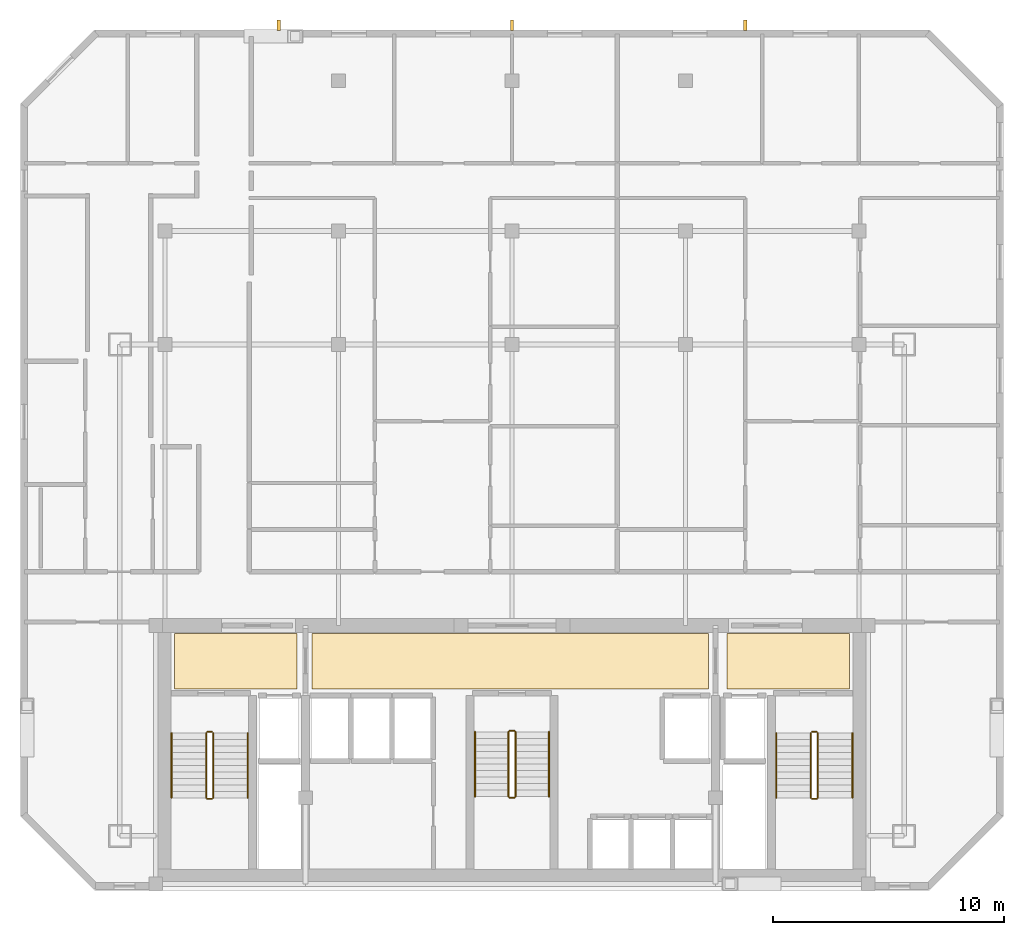
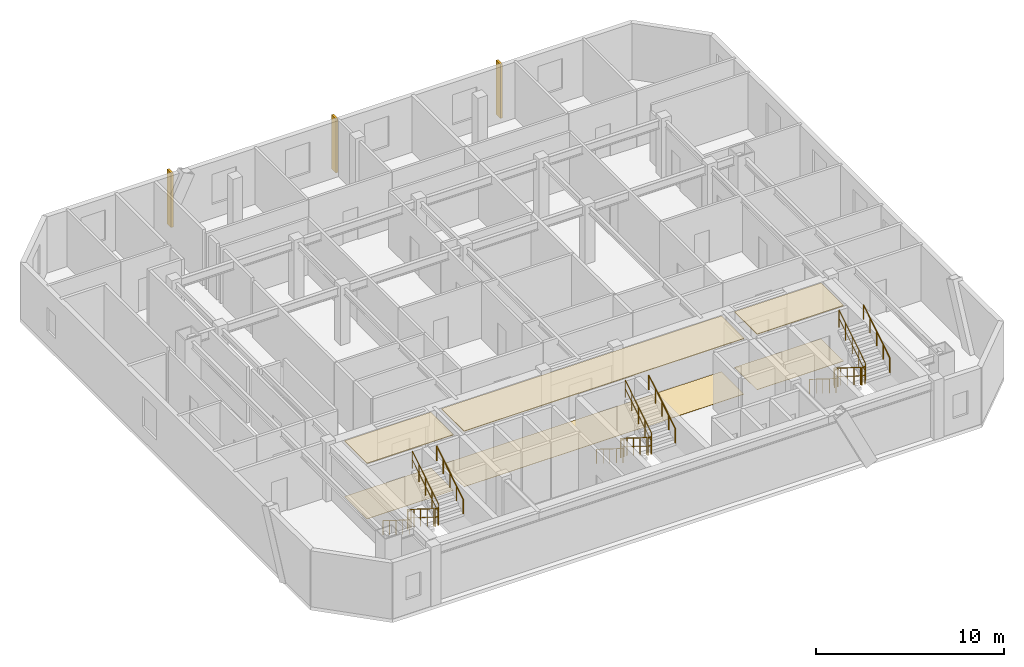
# One storey, part 7 of 7: 18 railings, 6 coverings, 3 shading devices.
"""IFC4 building model written with IfcOpenShell, lengths in metres."""

from ifc_helpers import new_model, si_unit, direction, frame, origin, origin_2d, place, context, subcontext, project, spatial, polyline, rectangle, circle, outline, extrude, material, layer, layer_set, type_object, element, save


model = new_model("IFC4")

# Units and contexts
model_context = context("Model", 3, precision=1e-05, world=origin(), true_north=direction((0.0, 1.0)))
body_context = subcontext(model_context, "Body", "Model", "MODEL_VIEW")
ifc_project = project(units=[si_unit("LENGTHUNIT", "METRE"), si_unit("AREAUNIT", "SQUARE_METRE"), si_unit("VOLUMEUNIT", "CUBIC_METRE"), si_unit("PLANEANGLEUNIT", "RADIAN"), si_unit("MASSUNIT", "GRAM", prefix="KILO")], contexts=[model_context])

# Site, building, storey
site_placement = place(None, origin())
site = spatial("IfcSite", under=ifc_project, at=site_placement, CompositionType="ELEMENT")
building_placement = place(site_placement, origin())
building = spatial("IfcBuilding", under=site, at=building_placement, Name="Ventersveld Concourse Tower", CompositionType="ELEMENT")
storey_placement = place(building_placement, frame((0.0, 0.0, 227.25)))
storey = spatial("IfcBuildingStorey", under=building, at=storey_placement, Name="L56", CompositionType="ELEMENT", Elevation=227.25)

# Coverings
ifc_material_1 = material(Name="Mineral-fibre acoustic ceiling tile", Category="gypsum")
ifc_layer_1 = layer(ifc_material_1, 0.0400390625)
ifc_layer_set_1 = layer_set([ifc_layer_1], Name="Mineral-fibre acoustic ceiling tile")
covering_type_1 = type_object("IfcCoveringType", Name="COV-CEIL-ACOUSTIC", PredefinedType="CEILING", material=ifc_layer_set_1)
covering_1_placement = place(storey_placement, frame((0.0, 0.0, 3.590087890625)))
element("IfcCovering", 1, at=covering_1_placement, inside=storey, type_object=covering_type_1, Name="L56 North Lift Lobby Acoustic Ceiling", PredefinedType="CEILING", context=body_context, shape_type="SweptSolid", body=[
    extrude(outline(polyline([(20.10009765625, 8.699951171875), (37.25, 8.699951171875), (37.25, 11.10009765625), (20.10009765625, 11.10009765625), (20.10009765625, 8.699951171875)])), origin(), (0.0, 0.0, 1.0), 0.039794921875),
])
covering_2_placement = place(storey_placement, frame((0.0, 0.0, 3.590087890625)))
element("IfcCovering", 2, at=covering_2_placement, inside=storey, type_object=covering_type_1, Name="L56 West Firefighting Lobby Acoustic Ceiling", PredefinedType="CEILING", context=body_context, shape_type="SweptSolid", body=[
    extrude(outline(polyline([(14.14990234375, 8.699951171875), (19.449951171875, 8.699951171875), (19.449951171875, 11.10009765625), (14.14990234375, 11.10009765625), (14.14990234375, 8.699951171875)])), origin(), (0.0, 0.0, 1.0), 0.039794921875),
])
covering_3_placement = place(storey_placement, frame((0.0, 0.0, 3.590087890625)))
element("IfcCovering", 3, at=covering_3_placement, inside=storey, type_object=covering_type_1, Name="L56 East Firefighting Lobby Acoustic Ceiling", PredefinedType="CEILING", context=body_context, shape_type="SweptSolid", body=[
    extrude(outline(polyline([(38.050048828125, 8.699951171875), (43.35009765625, 8.699951171875), (43.35009765625, 11.10009765625), (38.050048828125, 11.10009765625), (38.050048828125, 8.699951171875)])), origin(), (0.0, 0.0, 1.0), 0.039794921875),
])
ifc_material_2 = material(Name="Polished Highveld granite terrazzo", Category="masonry")
ifc_layer_2 = layer(ifc_material_2, 0.02001953125)
ifc_layer_set_2 = layer_set([ifc_layer_2], Name="Polished Highveld granite terrazzo")
covering_type_2 = type_object("IfcCoveringType", Name="COV-FLOOR-TERRAZZO", PredefinedType="FLOORING", material=ifc_layer_set_2)
covering_4_placement = place(storey_placement, origin())
element("IfcCovering", 4, at=covering_4_placement, inside=storey, type_object=covering_type_2, Name="L56 North Lift Lobby Terrazzo Flooring", PredefinedType="FLOORING", context=body_context, shape_type="SweptSolid", body=[
    extrude(outline(polyline([(20.10009765625, 8.699951171875), (37.25, 8.699951171875), (37.25, 11.10009765625), (20.10009765625, 11.10009765625), (20.10009765625, 8.699951171875)])), origin(), (0.0, 0.0, 1.0), 0.02001953125),
])
covering_5_placement = place(storey_placement, origin())
element("IfcCovering", 5, at=covering_5_placement, inside=storey, type_object=covering_type_2, Name="L56 West Firefighting Lobby Terrazzo Flooring", PredefinedType="FLOORING", context=body_context, shape_type="SweptSolid", body=[
    extrude(outline(polyline([(14.14990234375, 8.699951171875), (19.449951171875, 8.699951171875), (19.449951171875, 11.10009765625), (14.14990234375, 11.10009765625), (14.14990234375, 8.699951171875)])), origin(), (0.0, 0.0, 1.0), 0.02001953125),
])
covering_6_placement = place(storey_placement, origin())
element("IfcCovering", 6, at=covering_6_placement, inside=storey, type_object=covering_type_2, Name="L56 East Firefighting Lobby Terrazzo Flooring", PredefinedType="FLOORING", context=body_context, shape_type="SweptSolid", body=[
    extrude(outline(polyline([(38.050048828125, 8.699951171875), (43.35009765625, 8.699951171875), (43.35009765625, 11.10009765625), (38.050048828125, 11.10009765625), (38.050048828125, 8.699951171875)])), origin(), (0.0, 0.0, 1.0), 0.02001953125),
])

# Railings
ifc_material_3 = material(Name="Brushed stainless steel 316", Category="steel")
railing_type_1 = type_object("IfcRailingType", Name="GD-BAL-115", PredefinedType="GUARDRAIL", material=ifc_material_3)
railing_1_placement = place(storey_placement, frame((15.530029296875, 6.800048828125, 0.175048828125)))
element("IfcRailing", 7, at=railing_1_placement, inside=storey, type_object=railing_type_1, Name="L56 ST-01 stair guard 1", PredefinedType="GUARDRAIL", context=body_context, shape_type="SweptSolid", body=[
    extrude(circle(Radius=0.02392578125, at=origin_2d()), frame((0.0, 0.0, 1.1259765625), z_axis=(0.0, -0.848002457836, 0.529992293815), x_axis=(1.0, 0.0, 0.0)), (0.0, 0.0, 1.0), 3.302001953125),
    extrude(circle(Radius=0.01611328125, at=origin_2d()), frame((0.0, 0.0, 0.574951171875), z_axis=(0.0, -0.848002457836, 0.529992293815), x_axis=(1.0, 0.0, 0.0)), (0.0, 0.0, 1.0), 3.302001953125),
    extrude(circle(Radius=0.02099609375, at=origin_2d()), origin(), (0.0, 0.0, 1.0), 1.101806640625),
    extrude(circle(Radius=0.02099609375, at=origin_2d()), frame((0.0, -0.699951171875, 0.4375)), (0.0, 0.0, 1.0), 1.101806640625),
    extrude(circle(Radius=0.02099609375, at=origin_2d()), frame((0.0, -1.39990234375, 0.875)), (0.0, 0.0, 1.0), 1.101806640625),
    extrude(circle(Radius=0.02099609375, at=origin_2d()), frame((0.0, -2.10009765625, 1.3125)), (0.0, 0.0, 1.0), 1.101806640625),
    extrude(circle(Radius=0.02099609375, at=origin_2d()), frame((0.0, -2.800048828125, 1.75)), (0.0, 0.0, 1.0), 1.101806640625),
])
railing_2_placement = place(storey_placement, frame((15.580078125, 3.949951171875, 1.925048828125)))
element("IfcRailing", 8, at=railing_2_placement, inside=storey, type_object=railing_type_1, Name="L56 ST-01 stair guard 2", PredefinedType="GUARDRAIL", context=body_context, shape_type="SweptSolid", body=[
    extrude(circle(Radius=0.02392578125, at=origin_2d()), frame((0.0, 0.0, 1.1259765625), z_axis=(1.0, 0.0, 0.0), x_axis=(0.0, 1.0, 0.0)), (0.0, 0.0, 1.0), 0.199951171875),
    extrude(circle(Radius=0.01611328125, at=origin_2d()), frame((0.0, 0.0, 0.574951171875), z_axis=(1.0, 0.0, 0.0), x_axis=(0.0, 1.0, 0.0)), (0.0, 0.0, 1.0), 0.199951171875),
    extrude(circle(Radius=0.02099609375, at=origin_2d()), origin(), (0.0, 0.0, 1.0), 1.101806640625),
    extrude(circle(Radius=0.02099609375, at=origin_2d()), frame((0.199951171875, 0.0, 0.0)), (0.0, 0.0, 1.0), 1.101806640625),
])
railing_3_placement = place(storey_placement, frame((15.830078125, 4.0, 2.10009765625)))
element("IfcRailing", 9, at=railing_3_placement, inside=storey, type_object=railing_type_1, Name="L56 ST-01 stair guard 3", PredefinedType="GUARDRAIL", context=body_context, shape_type="SweptSolid", body=[
    extrude(circle(Radius=0.02392578125, at=origin_2d()), frame((0.0, 0.0, 1.1259765625), z_axis=(0.0, 0.848002457836, 0.529992293815), x_axis=(-1.0, 0.0, 0.0)), (0.0, 0.0, 1.0), 3.302001953125),
    extrude(circle(Radius=0.01611328125, at=origin_2d()), frame((0.0, 0.0, 0.574951171875), z_axis=(0.0, 0.848002457836, 0.529992293815), x_axis=(-1.0, 0.0, 0.0)), (0.0, 0.0, 1.0), 3.302001953125),
    extrude(circle(Radius=0.02099609375, at=origin_2d()), origin(), (0.0, 0.0, 1.0), 1.101806640625),
    extrude(circle(Radius=0.02099609375, at=origin_2d()), frame((0.0, 0.699951171875, 0.4375)), (0.0, 0.0, 1.0), 1.101806640625),
    extrude(circle(Radius=0.02099609375, at=origin_2d()), frame((0.0, 1.39990234375, 0.875)), (0.0, 0.0, 1.0), 1.101806640625),
    extrude(circle(Radius=0.02099609375, at=origin_2d()), frame((0.0, 2.10009765625, 1.3125)), (0.0, 0.0, 1.0), 1.101806640625),
    extrude(circle(Radius=0.02099609375, at=origin_2d()), frame((0.0, 2.800048828125, 1.75)), (0.0, 0.0, 1.0), 1.101806640625),
])
railing_4_placement = place(storey_placement, frame((15.580078125, 6.85009765625, 0.0)))
element("IfcRailing", 10, at=railing_4_placement, inside=storey, type_object=railing_type_1, Name="L56 ST-01 stair guard 4", PredefinedType="GUARDRAIL", context=body_context, shape_type="SweptSolid", body=[
    extrude(circle(Radius=0.02392578125, at=origin_2d()), frame((0.0, 0.0, 1.1259765625), z_axis=(1.0, 0.0, 0.0), x_axis=(0.0, 1.0, 0.0)), (0.0, 0.0, 1.0), 0.199951171875),
    extrude(circle(Radius=0.01611328125, at=origin_2d()), frame((0.0, 0.0, 0.574951171875), z_axis=(1.0, 0.0, 0.0), x_axis=(0.0, 1.0, 0.0)), (0.0, 0.0, 1.0), 0.199951171875),
    extrude(circle(Radius=0.02099609375, at=origin_2d()), origin(), (0.0, 0.0, 1.0), 1.101806640625),
    extrude(circle(Radius=0.02099609375, at=origin_2d()), frame((0.199951171875, 0.0, 0.0)), (0.0, 0.0, 1.0), 1.101806640625),
])
railing_5_placement = place(storey_placement, frame((41.669921875, 6.800048828125, 0.175048828125)))
element("IfcRailing", 11, at=railing_5_placement, inside=storey, type_object=railing_type_1, Name="L56 ST-02 stair guard 1", PredefinedType="GUARDRAIL", context=body_context, shape_type="SweptSolid", body=[
    extrude(circle(Radius=0.02392578125, at=origin_2d()), frame((0.0, 0.0, 1.1259765625), z_axis=(0.0, -0.848002457836, 0.529992293815), x_axis=(1.0, 0.0, 0.0)), (0.0, 0.0, 1.0), 3.302001953125),
    extrude(circle(Radius=0.01611328125, at=origin_2d()), frame((0.0, 0.0, 0.574951171875), z_axis=(0.0, -0.848002457836, 0.529992293815), x_axis=(1.0, 0.0, 0.0)), (0.0, 0.0, 1.0), 3.302001953125),
    extrude(circle(Radius=0.02099609375, at=origin_2d()), origin(), (0.0, 0.0, 1.0), 1.101806640625),
    extrude(circle(Radius=0.02099609375, at=origin_2d()), frame((0.0, -0.699951171875, 0.4375)), (0.0, 0.0, 1.0), 1.101806640625),
    extrude(circle(Radius=0.02099609375, at=origin_2d()), frame((0.0, -1.39990234375, 0.875)), (0.0, 0.0, 1.0), 1.101806640625),
    extrude(circle(Radius=0.02099609375, at=origin_2d()), frame((0.0, -2.10009765625, 1.3125)), (0.0, 0.0, 1.0), 1.101806640625),
    extrude(circle(Radius=0.02099609375, at=origin_2d()), frame((0.0, -2.800048828125, 1.75)), (0.0, 0.0, 1.0), 1.101806640625),
])
railing_6_placement = place(storey_placement, frame((41.719970703125, 3.949951171875, 1.925048828125)))
element("IfcRailing", 12, at=railing_6_placement, inside=storey, type_object=railing_type_1, Name="L56 ST-02 stair guard 2", PredefinedType="GUARDRAIL", context=body_context, shape_type="SweptSolid", body=[
    extrude(circle(Radius=0.02392578125, at=origin_2d()), frame((0.0, 0.0, 1.1259765625), z_axis=(1.0, 0.0, 0.0), x_axis=(0.0, 1.0, 0.0)), (0.0, 0.0, 1.0), 0.199951171875),
    extrude(circle(Radius=0.01611328125, at=origin_2d()), frame((0.0, 0.0, 0.574951171875), z_axis=(1.0, 0.0, 0.0), x_axis=(0.0, 1.0, 0.0)), (0.0, 0.0, 1.0), 0.199951171875),
    extrude(circle(Radius=0.02099609375, at=origin_2d()), origin(), (0.0, 0.0, 1.0), 1.101806640625),
    extrude(circle(Radius=0.02099609375, at=origin_2d()), frame((0.199951171875, 0.0, 0.0)), (0.0, 0.0, 1.0), 1.101806640625),
])
railing_7_placement = place(storey_placement, frame((41.969970703125, 4.0, 2.10009765625)))
element("IfcRailing", 13, at=railing_7_placement, inside=storey, type_object=railing_type_1, Name="L56 ST-02 stair guard 3", PredefinedType="GUARDRAIL", context=body_context, shape_type="SweptSolid", body=[
    extrude(circle(Radius=0.02392578125, at=origin_2d()), frame((0.0, 0.0, 1.1259765625), z_axis=(0.0, 0.848002457836, 0.529992293815), x_axis=(-1.0, 0.0, 0.0)), (0.0, 0.0, 1.0), 3.302001953125),
    extrude(circle(Radius=0.01611328125, at=origin_2d()), frame((0.0, 0.0, 0.574951171875), z_axis=(0.0, 0.848002457836, 0.529992293815), x_axis=(-1.0, 0.0, 0.0)), (0.0, 0.0, 1.0), 3.302001953125),
    extrude(circle(Radius=0.02099609375, at=origin_2d()), origin(), (0.0, 0.0, 1.0), 1.101806640625),
    extrude(circle(Radius=0.02099609375, at=origin_2d()), frame((0.0, 0.699951171875, 0.4375)), (0.0, 0.0, 1.0), 1.101806640625),
    extrude(circle(Radius=0.02099609375, at=origin_2d()), frame((0.0, 1.39990234375, 0.875)), (0.0, 0.0, 1.0), 1.101806640625),
    extrude(circle(Radius=0.02099609375, at=origin_2d()), frame((0.0, 2.10009765625, 1.3125)), (0.0, 0.0, 1.0), 1.101806640625),
    extrude(circle(Radius=0.02099609375, at=origin_2d()), frame((0.0, 2.800048828125, 1.75)), (0.0, 0.0, 1.0), 1.101806640625),
])
railing_8_placement = place(storey_placement, frame((41.719970703125, 6.85009765625, 0.0)))
element("IfcRailing", 14, at=railing_8_placement, inside=storey, type_object=railing_type_1, Name="L56 ST-02 stair guard 4", PredefinedType="GUARDRAIL", context=body_context, shape_type="SweptSolid", body=[
    extrude(circle(Radius=0.02392578125, at=origin_2d()), frame((0.0, 0.0, 1.1259765625), z_axis=(1.0, 0.0, 0.0), x_axis=(0.0, 1.0, 0.0)), (0.0, 0.0, 1.0), 0.199951171875),
    extrude(circle(Radius=0.01611328125, at=origin_2d()), frame((0.0, 0.0, 0.574951171875), z_axis=(1.0, 0.0, 0.0), x_axis=(0.0, 1.0, 0.0)), (0.0, 0.0, 1.0), 0.199951171875),
    extrude(circle(Radius=0.02099609375, at=origin_2d()), origin(), (0.0, 0.0, 1.0), 1.101806640625),
    extrude(circle(Radius=0.02099609375, at=origin_2d()), frame((0.199951171875, 0.0, 0.0)), (0.0, 0.0, 1.0), 1.101806640625),
])
railing_9_placement = place(storey_placement, frame((28.60009765625, 6.85009765625, 0.175048828125)))
element("IfcRailing", 15, at=railing_9_placement, inside=storey, type_object=railing_type_1, Name="L56 ST-03 stair guard 1", PredefinedType="GUARDRAIL", context=body_context, shape_type="SweptSolid", body=[
    extrude(circle(Radius=0.02392578125, at=origin_2d()), frame((0.0, 0.0, 1.1259765625), z_axis=(0.0, -0.848002457836, 0.529992293815), x_axis=(1.0, 0.0, 0.0)), (0.0, 0.0, 1.0), 3.302001953125),
    extrude(circle(Radius=0.01611328125, at=origin_2d()), frame((0.0, 0.0, 0.574951171875), z_axis=(0.0, -0.848002457836, 0.529992293815), x_axis=(1.0, 0.0, 0.0)), (0.0, 0.0, 1.0), 3.302001953125),
    extrude(circle(Radius=0.02099609375, at=origin_2d()), origin(), (0.0, 0.0, 1.0), 1.101806640625),
    extrude(circle(Radius=0.02099609375, at=origin_2d()), frame((0.0, -0.699951171875, 0.4375)), (0.0, 0.0, 1.0), 1.101806640625),
    extrude(circle(Radius=0.02099609375, at=origin_2d()), frame((0.0, -1.39990234375, 0.875)), (0.0, 0.0, 1.0), 1.101806640625),
    extrude(circle(Radius=0.02099609375, at=origin_2d()), frame((0.0, -2.10009765625, 1.3125)), (0.0, 0.0, 1.0), 1.101806640625),
    extrude(circle(Radius=0.02099609375, at=origin_2d()), frame((0.0, -2.800048828125, 1.75)), (0.0, 0.0, 1.0), 1.101806640625),
])
railing_10_placement = place(storey_placement, frame((28.64990234375, 4.0, 1.925048828125)))
element("IfcRailing", 16, at=railing_10_placement, inside=storey, type_object=railing_type_1, Name="L56 ST-03 stair guard 2", PredefinedType="GUARDRAIL", context=body_context, shape_type="SweptSolid", body=[
    extrude(circle(Radius=0.02392578125, at=origin_2d()), frame((0.0, 0.0, 1.1259765625), z_axis=(1.0, 0.0, 0.0), x_axis=(0.0, 1.0, 0.0)), (0.0, 0.0, 1.0), 0.2001953125),
    extrude(circle(Radius=0.01611328125, at=origin_2d()), frame((0.0, 0.0, 0.574951171875), z_axis=(1.0, 0.0, 0.0), x_axis=(0.0, 1.0, 0.0)), (0.0, 0.0, 1.0), 0.2001953125),
    extrude(circle(Radius=0.02099609375, at=origin_2d()), origin(), (0.0, 0.0, 1.0), 1.101806640625),
    extrude(circle(Radius=0.02099609375, at=origin_2d()), frame((0.2001953125, 0.0, 0.0)), (0.0, 0.0, 1.0), 1.101806640625),
])
railing_11_placement = place(storey_placement, frame((28.89990234375, 4.050048828125, 2.10009765625)))
element("IfcRailing", 17, at=railing_11_placement, inside=storey, type_object=railing_type_1, Name="L56 ST-03 stair guard 3", PredefinedType="GUARDRAIL", context=body_context, shape_type="SweptSolid", body=[
    extrude(circle(Radius=0.02392578125, at=origin_2d()), frame((0.0, 0.0, 1.1259765625), z_axis=(0.0, 0.848002457836, 0.529992293815), x_axis=(-1.0, 0.0, 0.0)), (0.0, 0.0, 1.0), 3.302001953125),
    extrude(circle(Radius=0.01611328125, at=origin_2d()), frame((0.0, 0.0, 0.574951171875), z_axis=(0.0, 0.848002457836, 0.529992293815), x_axis=(-1.0, 0.0, 0.0)), (0.0, 0.0, 1.0), 3.302001953125),
    extrude(circle(Radius=0.02099609375, at=origin_2d()), origin(), (0.0, 0.0, 1.0), 1.101806640625),
    extrude(circle(Radius=0.02099609375, at=origin_2d()), frame((0.0, 0.699951171875, 0.4375)), (0.0, 0.0, 1.0), 1.101806640625),
    extrude(circle(Radius=0.02099609375, at=origin_2d()), frame((0.0, 1.39990234375, 0.875)), (0.0, 0.0, 1.0), 1.101806640625),
    extrude(circle(Radius=0.02099609375, at=origin_2d()), frame((0.0, 2.10009765625, 1.3125)), (0.0, 0.0, 1.0), 1.101806640625),
    extrude(circle(Radius=0.02099609375, at=origin_2d()), frame((0.0, 2.800048828125, 1.75)), (0.0, 0.0, 1.0), 1.101806640625),
])
railing_12_placement = place(storey_placement, frame((28.64990234375, 6.89990234375, 0.0)))
element("IfcRailing", 18, at=railing_12_placement, inside=storey, type_object=railing_type_1, Name="L56 ST-03 stair guard 4", PredefinedType="GUARDRAIL", context=body_context, shape_type="SweptSolid", body=[
    extrude(circle(Radius=0.02392578125, at=origin_2d()), frame((0.0, 0.0, 1.1259765625), z_axis=(1.0, 0.0, 0.0), x_axis=(0.0, 1.0, 0.0)), (0.0, 0.0, 1.0), 0.2001953125),
    extrude(circle(Radius=0.01611328125, at=origin_2d()), frame((0.0, 0.0, 0.574951171875), z_axis=(1.0, 0.0, 0.0), x_axis=(0.0, 1.0, 0.0)), (0.0, 0.0, 1.0), 0.2001953125),
    extrude(circle(Radius=0.02099609375, at=origin_2d()), origin(), (0.0, 0.0, 1.0), 1.101806640625),
    extrude(circle(Radius=0.02099609375, at=origin_2d()), frame((0.2001953125, 0.0, 0.0)), (0.0, 0.0, 1.0), 1.101806640625),
])
railing_type_2 = type_object("IfcRailingType", Name="HR-RMP-095", PredefinedType="HANDRAIL", material=ifc_material_3)
railing_13_placement = place(storey_placement, frame((14.030029296875, 6.800048828125, 0.175048828125)))
element("IfcRailing", 19, at=railing_13_placement, inside=storey, type_object=railing_type_2, Name="L56 ST-01 stair handrail 1", PredefinedType="HANDRAIL", context=body_context, shape_type="SweptSolid", body=[
    extrude(circle(Radius=0.02392578125, at=origin_2d()), frame((0.0, 0.0, 0.92578125), z_axis=(0.0, -0.848002457836, 0.529992293815), x_axis=(1.0, 0.0, 0.0)), (0.0, 0.0, 1.0), 3.302001953125),
    extrude(circle(Radius=0.02099609375, at=origin_2d()), origin(), (0.0, 0.0, 1.0), 0.90185546875),
    extrude(circle(Radius=0.02099609375, at=origin_2d()), frame((0.0, -0.699951171875, 0.4375)), (0.0, 0.0, 1.0), 0.90185546875),
    extrude(circle(Radius=0.02099609375, at=origin_2d()), frame((0.0, -1.39990234375, 0.875)), (0.0, 0.0, 1.0), 0.90185546875),
    extrude(circle(Radius=0.02099609375, at=origin_2d()), frame((0.0, -2.10009765625, 1.3125)), (0.0, 0.0, 1.0), 0.90185546875),
    extrude(circle(Radius=0.02099609375, at=origin_2d()), frame((0.0, -2.800048828125, 1.75)), (0.0, 0.0, 1.0), 0.90185546875),
])
railing_14_placement = place(storey_placement, frame((17.330078125, 4.0, 2.10009765625)))
element("IfcRailing", 20, at=railing_14_placement, inside=storey, type_object=railing_type_2, Name="L56 ST-01 stair handrail 2", PredefinedType="HANDRAIL", context=body_context, shape_type="SweptSolid", body=[
    extrude(circle(Radius=0.02392578125, at=origin_2d()), frame((0.0, 0.0, 0.92578125), z_axis=(0.0, 0.848002457836, 0.529992293815), x_axis=(-1.0, 0.0, 0.0)), (0.0, 0.0, 1.0), 3.302001953125),
    extrude(circle(Radius=0.02099609375, at=origin_2d()), origin(), (0.0, 0.0, 1.0), 0.90185546875),
    extrude(circle(Radius=0.02099609375, at=origin_2d()), frame((0.0, 0.699951171875, 0.4375)), (0.0, 0.0, 1.0), 0.90185546875),
    extrude(circle(Radius=0.02099609375, at=origin_2d()), frame((0.0, 1.39990234375, 0.875)), (0.0, 0.0, 1.0), 0.90185546875),
    extrude(circle(Radius=0.02099609375, at=origin_2d()), frame((0.0, 2.10009765625, 1.3125)), (0.0, 0.0, 1.0), 0.90185546875),
    extrude(circle(Radius=0.02099609375, at=origin_2d()), frame((0.0, 2.800048828125, 1.75)), (0.0, 0.0, 1.0), 0.90185546875),
])
railing_15_placement = place(storey_placement, frame((40.169921875, 6.800048828125, 0.175048828125)))
element("IfcRailing", 21, at=railing_15_placement, inside=storey, type_object=railing_type_2, Name="L56 ST-02 stair handrail 1", PredefinedType="HANDRAIL", context=body_context, shape_type="SweptSolid", body=[
    extrude(circle(Radius=0.02392578125, at=origin_2d()), frame((0.0, 0.0, 0.92578125), z_axis=(0.0, -0.848002457836, 0.529992293815), x_axis=(1.0, 0.0, 0.0)), (0.0, 0.0, 1.0), 3.302001953125),
    extrude(circle(Radius=0.02099609375, at=origin_2d()), origin(), (0.0, 0.0, 1.0), 0.90185546875),
    extrude(circle(Radius=0.02099609375, at=origin_2d()), frame((0.0, -0.699951171875, 0.4375)), (0.0, 0.0, 1.0), 0.90185546875),
    extrude(circle(Radius=0.02099609375, at=origin_2d()), frame((0.0, -1.39990234375, 0.875)), (0.0, 0.0, 1.0), 0.90185546875),
    extrude(circle(Radius=0.02099609375, at=origin_2d()), frame((0.0, -2.10009765625, 1.3125)), (0.0, 0.0, 1.0), 0.90185546875),
    extrude(circle(Radius=0.02099609375, at=origin_2d()), frame((0.0, -2.800048828125, 1.75)), (0.0, 0.0, 1.0), 0.90185546875),
])
railing_16_placement = place(storey_placement, frame((43.469970703125, 4.0, 2.10009765625)))
element("IfcRailing", 22, at=railing_16_placement, inside=storey, type_object=railing_type_2, Name="L56 ST-02 stair handrail 2", PredefinedType="HANDRAIL", context=body_context, shape_type="SweptSolid", body=[
    extrude(circle(Radius=0.02392578125, at=origin_2d()), frame((0.0, 0.0, 0.92578125), z_axis=(0.0, 0.848002457836, 0.529992293815), x_axis=(-1.0, 0.0, 0.0)), (0.0, 0.0, 1.0), 3.302001953125),
    extrude(circle(Radius=0.02099609375, at=origin_2d()), origin(), (0.0, 0.0, 1.0), 0.90185546875),
    extrude(circle(Radius=0.02099609375, at=origin_2d()), frame((0.0, 0.699951171875, 0.4375)), (0.0, 0.0, 1.0), 0.90185546875),
    extrude(circle(Radius=0.02099609375, at=origin_2d()), frame((0.0, 1.39990234375, 0.875)), (0.0, 0.0, 1.0), 0.90185546875),
    extrude(circle(Radius=0.02099609375, at=origin_2d()), frame((0.0, 2.10009765625, 1.3125)), (0.0, 0.0, 1.0), 0.90185546875),
    extrude(circle(Radius=0.02099609375, at=origin_2d()), frame((0.0, 2.800048828125, 1.75)), (0.0, 0.0, 1.0), 0.90185546875),
])
railing_17_placement = place(storey_placement, frame((27.14990234375, 6.85009765625, 0.175048828125)))
element("IfcRailing", 23, at=railing_17_placement, inside=storey, type_object=railing_type_2, Name="L56 ST-03 stair handrail 1", PredefinedType="HANDRAIL", context=body_context, shape_type="SweptSolid", body=[
    extrude(circle(Radius=0.02392578125, at=origin_2d()), frame((0.0, 0.0, 0.92578125), z_axis=(0.0, -0.848002457836, 0.529992293815), x_axis=(1.0, 0.0, 0.0)), (0.0, 0.0, 1.0), 3.302001953125),
    extrude(circle(Radius=0.02099609375, at=origin_2d()), origin(), (0.0, 0.0, 1.0), 0.90185546875),
    extrude(circle(Radius=0.02099609375, at=origin_2d()), frame((0.0, -0.699951171875, 0.4375)), (0.0, 0.0, 1.0), 0.90185546875),
    extrude(circle(Radius=0.02099609375, at=origin_2d()), frame((0.0, -1.39990234375, 0.875)), (0.0, 0.0, 1.0), 0.90185546875),
    extrude(circle(Radius=0.02099609375, at=origin_2d()), frame((0.0, -2.10009765625, 1.3125)), (0.0, 0.0, 1.0), 0.90185546875),
    extrude(circle(Radius=0.02099609375, at=origin_2d()), frame((0.0, -2.800048828125, 1.75)), (0.0, 0.0, 1.0), 0.90185546875),
])
railing_18_placement = place(storey_placement, frame((30.35009765625, 4.050048828125, 2.10009765625)))
element("IfcRailing", 24, at=railing_18_placement, inside=storey, type_object=railing_type_2, Name="L56 ST-03 stair handrail 2", PredefinedType="HANDRAIL", context=body_context, shape_type="SweptSolid", body=[
    extrude(circle(Radius=0.02392578125, at=origin_2d()), frame((0.0, 0.0, 0.92578125), z_axis=(0.0, 0.848002457836, 0.529992293815), x_axis=(-1.0, 0.0, 0.0)), (0.0, 0.0, 1.0), 3.302001953125),
    extrude(circle(Radius=0.02099609375, at=origin_2d()), origin(), (0.0, 0.0, 1.0), 0.90185546875),
    extrude(circle(Radius=0.02099609375, at=origin_2d()), frame((0.0, 0.699951171875, 0.4375)), (0.0, 0.0, 1.0), 0.90185546875),
    extrude(circle(Radius=0.02099609375, at=origin_2d()), frame((0.0, 1.39990234375, 0.875)), (0.0, 0.0, 1.0), 0.90185546875),
    extrude(circle(Radius=0.02099609375, at=origin_2d()), frame((0.0, 2.10009765625, 1.3125)), (0.0, 0.0, 1.0), 0.90185546875),
    extrude(circle(Radius=0.02099609375, at=origin_2d()), frame((0.0, 2.800048828125, 1.75)), (0.0, 0.0, 1.0), 0.90185546875),
])

# Shading devices
ifc_material_4 = material(Name="Precast concrete C45/55", Category="concrete")
shading_device_type = type_object("IfcShadingDeviceType", Name="SHD-FIN-450", PredefinedType="USERDEFINED", material=ifc_material_4)
for number, where, z_axis, x_axis, name in (
    (25, (38.835693359375, 37.39990234375, 0.06005859375), (0.0, 0.0, 1.0), (1.0, 0.0, 0.0), "L56 North Vertical Solar Shading FIN 1"),
    (26, (28.75, 37.39990234375, 0.06005859375), (0.0, 0.0, 1.0), (1.0, 0.0, 0.0), "L56 North Vertical Solar Shading FIN 2"),
    (27, (18.664306640625, 37.39990234375, 0.06005859375), (0.0, 0.0, 1.0), (1.0, 0.0, 0.0), "L56 North Vertical Solar Shading FIN 3"),
):
    element("IfcShadingDevice", number, at=place(storey_placement, frame(where, z_axis=z_axis, x_axis=x_axis)), inside=storey, type_object=shading_device_type, Name=name, ObjectType="SUNSHADE", PredefinedType="USERDEFINED", context=body_context, shape_type="SweptSolid", body=[
        extrude(rectangle(XDim=0.139892578125, YDim=0.449951171875, at=origin_2d()), origin(), (0.0, 0.0, 1.0), 3.510009765625),
    ])

save(model, "model.ifc")
